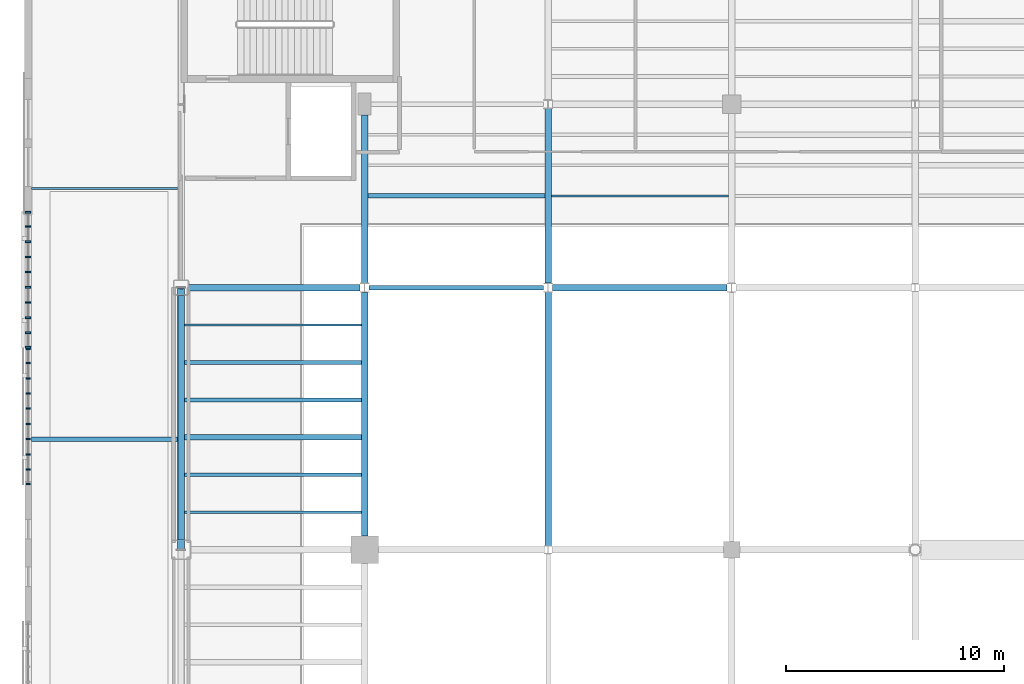
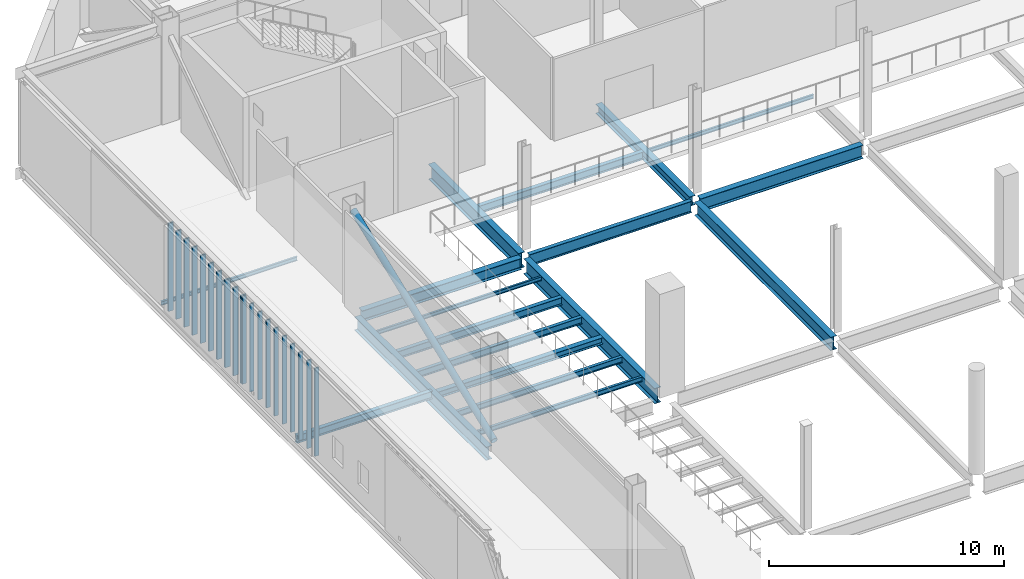
# One storey, part 32 of 127: 21 members, 18 beams, 2 elements without a shape of their own.
"""IFC4 building model written with IfcOpenShell, lengths in metres."""

from ifc_helpers import new_model, si_unit, direction, frame, origin, origin_2d, place, context, subcontext, project, spatial, rectangle, hollow_circle, i_section, extrude, material, material_profile, profile_set, type_object, element, aggregate, save


model = new_model("IFC4")

# Units and contexts
model_context = context("Model", 3, precision=1e-05, world=origin(), true_north=direction((0.0, 1.0)))
body_context = subcontext(model_context, "Body", "Model", "MODEL_VIEW")
ifc_project = project(units=[si_unit("LENGTHUNIT", "METRE"), si_unit("AREAUNIT", "SQUARE_METRE"), si_unit("VOLUMEUNIT", "CUBIC_METRE"), si_unit("PLANEANGLEUNIT", "RADIAN"), si_unit("MASSUNIT", "GRAM", prefix="KILO")], contexts=[model_context])

# Site, building, storey
site_placement = place(None, origin())
site = spatial("IfcSite", under=ifc_project, at=site_placement, CompositionType="ELEMENT")
building_placement = place(site_placement, origin())
building = spatial("IfcBuilding", under=site, at=building_placement, Name="Larkvane Passage Sports Hall", CompositionType="ELEMENT")
storey_placement = place(building_placement, frame((0.0, 0.0, 5.39990234375)))
storey = spatial("IfcBuildingStorey", under=building, at=storey_placement, Name="L01", CompositionType="ELEMENT", Elevation=5.39990234375)

# Beams
ifc_material_1 = material(Name="Steel S355JR", Category="steel")
ifc_material_profile_1 = material_profile(ifc_material_1, i_section(OverallWidth=0.300048828125, OverallDepth=0.488037109375, WebThickness=0.010986328125, FlangeThickness=0.01806640625, FilletRadius=0.02197265625, at=origin_2d()), Name="H-488x300x11x18")
ifc_profile_set_1 = profile_set([ifc_material_profile_1], Name="Steel S355JR")
beam_type_1 = type_object("IfcBeamType", Name="BM-STL-H488", PredefinedType="BEAM", material=ifc_profile_set_1)
beam_1_placement = place(storey_placement, frame((51.60009765625, 75.806884765625, -0.663818359375), z_axis=(0.0, 1.0, 0.0), x_axis=(-1.0, 0.0, 0.0)))
element("IfcBeam", 1, at=beam_1_placement, inside=storey, type_object=beam_type_1, Name="Girder BM5-Y-L01-8-0459", PredefinedType="BEAM", context=body_context, shape_type="SweptSolid", body=[
    extrude(i_section(OverallWidth=0.300048828125, OverallDepth=0.488037109375, WebThickness=0.010986328125, FlangeThickness=0.01806640625, FilletRadius=0.02197265625, at=origin_2d()), origin(), (0.0, 0.0, 1.0), 7.9931640625),
])
ifc_material_2 = material(Name="Steel S460N", Category="steel")
ifc_material_profile_2 = material_profile(ifc_material_2, i_section(OverallWidth=0.300048828125, OverallDepth=0.587890625, WebThickness=0.011962890625, FlangeThickness=0.02001953125, FilletRadius=0.02197265625, at=origin_2d()), Name="H-588x300x12x20")
ifc_profile_set_2 = profile_set([ifc_material_profile_2], Name="Steel S460N")
beam_type_2 = type_object("IfcBeamType", Name="BM-STL-H588", PredefinedType="BEAM", material=ifc_profile_set_2)
beam_2_placement = place(storey_placement, frame((35.14990234375, 75.60009765625, -0.7138671875), z_axis=(1.0, 0.0, 0.0), x_axis=(0.0, 1.0, 0.0)))
element("IfcBeam", 2, at=beam_2_placement, inside=storey, type_object=beam_type_2, Name="Girder BM5-X-L01-J-0422", PredefinedType="BEAM", context=body_context, shape_type="SweptSolid", body=[
    extrude(i_section(OverallWidth=0.300048828125, OverallDepth=0.587890625, WebThickness=0.011962890625, FlangeThickness=0.02001953125, FilletRadius=0.02197265625, at=origin_2d()), origin(), (0.0, 0.0, 1.0), 7.8466796875),
])
ifc_material_profile_3 = material_profile(ifc_material_1, i_section(OverallWidth=0.199951171875, OverallDepth=0.60009765625, WebThickness=0.010986328125, FlangeThickness=0.01708984375, FilletRadius=0.01806640625, at=origin_2d()), Name="H-600x200x11x17")
ifc_profile_set_3 = profile_set([ifc_material_profile_3], Name="Steel S355JR")
beam_type_3 = type_object("IfcBeamType", Name="BM-STL-H600", PredefinedType="BEAM", material=ifc_profile_set_3)
beam_3_placement = place(storey_placement, frame((43.403564453125, 75.60009765625, -0.719970703125), z_axis=(1.0, 0.0, 0.0), x_axis=(0.0, 1.0, 0.0)))
element("IfcBeam", 3, at=beam_3_placement, inside=storey, type_object=beam_type_3, Name="Girder BM5-X-L01-J-0423", PredefinedType="BEAM", context=body_context, shape_type="SweptSolid", body=[
    extrude(i_section(OverallWidth=0.199951171875, OverallDepth=0.60009765625, WebThickness=0.010986328125, FlangeThickness=0.01708984375, FilletRadius=0.01806640625, at=origin_2d()), origin(), (0.0, 0.0, 1.0), 7.993896484375),
])
ifc_material_profile_4 = material_profile(ifc_material_2, i_section(OverallWidth=0.300048828125, OverallDepth=0.69189453125, WebThickness=0.012939453125, FlangeThickness=0.02001953125, FilletRadius=0.02197265625, at=origin_2d()), Name="H-692x300x13x20")
ifc_profile_set_4 = profile_set([ifc_material_profile_4], Name="Steel S460N")
beam_type_4 = type_object("IfcBeamType", Name="BM-STL-H692", PredefinedType="BEAM", material=ifc_profile_set_4)
beam_4_placement = place(storey_placement, frame((51.802490234375, 75.60009765625, -0.765869140625), z_axis=(1.0, 0.0, 0.0), x_axis=(0.0, 1.0, 0.0)))
element("IfcBeam", 4, at=beam_4_placement, inside=storey, type_object=beam_type_4, Name="Girder BM5-X-L01-J-0424", PredefinedType="BEAM", context=body_context, shape_type="SweptSolid", body=[
    extrude(i_section(OverallWidth=0.300048828125, OverallDepth=0.69189453125, WebThickness=0.012939453125, FlangeThickness=0.02001953125, FilletRadius=0.02197265625, at=origin_2d()), origin(), (0.0, 0.0, 1.0), 7.99755859375),
])
beam_5_placement = place(storey_placement, frame((51.60009765625, 63.77490234375, -0.765869140625), z_axis=(0.0, 1.0, 0.0), x_axis=(-1.0, 0.0, 0.0)))
element("IfcBeam", 5, at=beam_5_placement, inside=storey, type_object=beam_type_4, Name="Girder BM5-Y-L01-8-0458", PredefinedType="BEAM", context=body_context, shape_type="SweptSolid", body=[
    extrude(i_section(OverallWidth=0.300048828125, OverallDepth=0.69189453125, WebThickness=0.012939453125, FlangeThickness=0.02001953125, FilletRadius=0.02197265625, at=origin_2d()), origin(), (0.0, 0.0, 1.0), 11.6181640625),
])
ifc_material_profile_5 = material_profile(ifc_material_2, i_section(OverallWidth=0.300048828125, OverallDepth=0.699951171875, WebThickness=0.012939453125, FlangeThickness=0.02392578125, FilletRadius=0.02197265625, at=origin_2d()), Name="H-700x300x13x24")
ifc_profile_set_5 = profile_set([ifc_material_profile_5], Name="Steel S460N")
beam_type_5 = type_object("IfcBeamType", Name="BM-STL-H700", PredefinedType="BEAM", material=ifc_profile_set_5)
beam_6_placement = place(storey_placement, frame((34.800048828125, 64.050048828125, -0.77001953125), z_axis=(0.0, 1.0, 0.0), x_axis=(-1.0, 0.0, 0.0)))
element("IfcBeam", 6, at=beam_6_placement, inside=storey, type_object=beam_type_5, Name="Girder BM5-Y-L01-6-0447", PredefinedType="BEAM", context=body_context, shape_type="SweptSolid", body=[
    extrude(i_section(OverallWidth=0.300048828125, OverallDepth=0.699951171875, WebThickness=0.012939453125, FlangeThickness=0.02392578125, FilletRadius=0.02197265625, at=origin_2d()), origin(), (0.0, 0.0, 1.0), 11.199951171875),
])
ifc_material_profile_6 = material_profile(ifc_material_2, i_section(OverallWidth=0.300048828125, OverallDepth=0.7919921875, WebThickness=0.013916015625, FlangeThickness=0.02197265625, FilletRadius=0.02197265625, at=origin_2d()), Name="H-792x300x14x22")
ifc_profile_set_6 = profile_set([ifc_material_profile_6], Name="Steel S460N")
beam_type_6 = type_object("IfcBeamType", Name="BM-STL-H792", PredefinedType="BEAM", material=ifc_profile_set_6)
beam_7_placement = place(storey_placement, frame((43.199951171875, 64.22509765625, -0.81591796875), z_axis=(0.0, 1.0, 0.0), x_axis=(-1.0, 0.0, 0.0)))
element("IfcBeam", 7, at=beam_7_placement, inside=storey, type_object=beam_type_6, Name="Girder BM5-Y-L01-7-0452", PredefinedType="BEAM", context=body_context, shape_type="SweptSolid", body=[
    extrude(i_section(OverallWidth=0.300048828125, OverallDepth=0.7919921875, WebThickness=0.013916015625, FlangeThickness=0.02197265625, FilletRadius=0.02197265625, at=origin_2d()), origin(), (0.0, 0.0, 1.0), 11.160888671875),
])
ifc_material_profile_7 = material_profile(ifc_material_2, i_section(OverallWidth=0.300048828125, OverallDepth=0.800048828125, WebThickness=0.013916015625, FlangeThickness=0.02587890625, FilletRadius=0.02197265625, at=origin_2d()), Name="H-800x300x14x26")
ifc_profile_set_7 = profile_set([ifc_material_profile_7], Name="Steel S460N")
beam_type_7 = type_object("IfcBeamType", Name="BM-STL-H800", PredefinedType="BEAM", material=ifc_profile_set_7)
beam_8_placement = place(storey_placement, frame((43.199951171875, 75.81396484375, -0.81982421875), z_axis=(0.0, 1.0, 0.0), x_axis=(-1.0, 0.0, 0.0)))
element("IfcBeam", 8, at=beam_8_placement, inside=storey, type_object=beam_type_7, Name="Girder BM5-Y-L01-7-0453", PredefinedType="BEAM", context=body_context, shape_type="SweptSolid", body=[
    extrude(i_section(OverallWidth=0.300048828125, OverallDepth=0.800048828125, WebThickness=0.013916015625, FlangeThickness=0.02587890625, FilletRadius=0.02197265625, at=origin_2d()), origin(), (0.0, 0.0, 1.0), 7.68603515625),
])

# Curtain wall, members
ifc_material_3 = material(Name="Thermally broken aluminium and low-E glazing", Category="aluminium")
curtain_wall_type_1 = type_object("IfcCurtainWallType", Name="CW-UNIT-VEIL", PredefinedType="USERDEFINED", material=ifc_material_3)
curtain_wall_1_placement = place(storey_placement, origin())
curtain_wall_1 = element("IfcCurtainWall", 9, at=curtain_wall_1_placement, inside=storey, type_object=curtain_wall_type_1, Name="Curtain wall CW5-L01-037", ObjectType="UNITISED CURTAIN WALL", PredefinedType="USERDEFINED")
ifc_material_4 = material(Name="Anodised aluminium 6063-T6", Category="aluminium")
ifc_material_profile_8 = material_profile(ifc_material_4, rectangle(XDim=0.070068359375, YDim=0.199951171875, at=origin_2d()), Name="ALU-MUL-70x200")
ifc_profile_set_8 = profile_set([ifc_material_profile_8], Name="Anodised aluminium 6063-T6")
member_type_1 = type_object("IfcMemberType", Name="CW-MUL-70x200", PredefinedType="MULLION", material=ifc_profile_set_8)
member_1_placement = place(storey_placement, frame((27.800048828125, 66.61669921875, 0.0), z_axis=(0.0, 0.0, 1.0), x_axis=(0.0, 1.0, 0.0)))
member_1 = element("IfcMember", 10, at=member_1_placement, type_object=member_type_1, Name="CW-02 mullion 1", PredefinedType="MULLION", context=body_context, shape_type="SweptSolid", body=[
    extrude(rectangle(XDim=0.070068359375, YDim=0.199951171875, at=origin_2d()), origin(), (0.0, 0.0, 1.0), 4.578125),
])
member_2_placement = place(storey_placement, frame((27.800048828125, 67.27685546875, 0.0), z_axis=(0.0, 0.0, 1.0), x_axis=(0.0, 1.0, 0.0)))
member_2 = element("IfcMember", 11, at=member_2_placement, type_object=member_type_1, Name="CW-02 mullion 2", PredefinedType="MULLION", context=body_context, shape_type="SweptSolid", body=[
    extrude(rectangle(XDim=0.070068359375, YDim=0.199951171875, at=origin_2d()), origin(), (0.0, 0.0, 1.0), 4.578125),
])
member_3_placement = place(storey_placement, frame((27.800048828125, 67.9716796875, 0.0), z_axis=(0.0, 0.0, 1.0), x_axis=(0.0, 1.0, 0.0)))
member_3 = element("IfcMember", 12, at=member_3_placement, type_object=member_type_1, Name="CW-02 mullion 3", PredefinedType="MULLION", context=body_context, shape_type="SweptSolid", body=[
    extrude(rectangle(XDim=0.070068359375, YDim=0.199951171875, at=origin_2d()), origin(), (0.0, 0.0, 1.0), 4.578125),
])
member_4_placement = place(storey_placement, frame((27.800048828125, 68.666748046875, 0.0), z_axis=(0.0, 0.0, 1.0), x_axis=(0.0, 1.0, 0.0)))
member_4 = element("IfcMember", 13, at=member_4_placement, type_object=member_type_1, Name="CW-02 mullion 4", PredefinedType="MULLION", context=body_context, shape_type="SweptSolid", body=[
    extrude(rectangle(XDim=0.070068359375, YDim=0.199951171875, at=origin_2d()), origin(), (0.0, 0.0, 1.0), 4.578125),
])
member_5_placement = place(storey_placement, frame((27.800048828125, 69.361572265625, 0.0), z_axis=(0.0, 0.0, 1.0), x_axis=(0.0, 1.0, 0.0)))
member_5 = element("IfcMember", 14, at=member_5_placement, type_object=member_type_1, Name="CW-02 mullion 5", PredefinedType="MULLION", context=body_context, shape_type="SweptSolid", body=[
    extrude(rectangle(XDim=0.070068359375, YDim=0.199951171875, at=origin_2d()), origin(), (0.0, 0.0, 1.0), 4.578125),
])
member_6_placement = place(storey_placement, frame((27.800048828125, 70.056640625, 0.0), z_axis=(0.0, 0.0, 1.0), x_axis=(0.0, 1.0, 0.0)))
member_6 = element("IfcMember", 15, at=member_6_placement, type_object=member_type_1, Name="CW-02 mullion 6", PredefinedType="MULLION", context=body_context, shape_type="SweptSolid", body=[
    extrude(rectangle(XDim=0.070068359375, YDim=0.199951171875, at=origin_2d()), origin(), (0.0, 0.0, 1.0), 4.578125),
])
member_7_placement = place(storey_placement, frame((27.800048828125, 70.75146484375, 0.0), z_axis=(0.0, 0.0, 1.0), x_axis=(0.0, 1.0, 0.0)))
member_7 = element("IfcMember", 16, at=member_7_placement, type_object=member_type_1, Name="CW-02 mullion 7", PredefinedType="MULLION", context=body_context, shape_type="SweptSolid", body=[
    extrude(rectangle(XDim=0.070068359375, YDim=0.199951171875, at=origin_2d()), origin(), (0.0, 0.0, 1.0), 4.578125),
])
member_8_placement = place(storey_placement, frame((27.800048828125, 71.446533203125, 0.0), z_axis=(0.0, 0.0, 1.0), x_axis=(0.0, 1.0, 0.0)))
member_8 = element("IfcMember", 17, at=member_8_placement, type_object=member_type_1, Name="CW-02 mullion 8", PredefinedType="MULLION", context=body_context, shape_type="SweptSolid", body=[
    extrude(rectangle(XDim=0.070068359375, YDim=0.199951171875, at=origin_2d()), origin(), (0.0, 0.0, 1.0), 4.578125),
])
member_9_placement = place(storey_placement, frame((27.800048828125, 72.141357421875, 0.0), z_axis=(0.0, 0.0, 1.0), x_axis=(0.0, 1.0, 0.0)))
member_9 = element("IfcMember", 18, at=member_9_placement, type_object=member_type_1, Name="CW-02 mullion 9", PredefinedType="MULLION", context=body_context, shape_type="SweptSolid", body=[
    extrude(rectangle(XDim=0.070068359375, YDim=0.199951171875, at=origin_2d()), origin(), (0.0, 0.0, 1.0), 4.578125),
])
member_10_placement = place(storey_placement, frame((27.800048828125, 72.801513671875, 0.0), z_axis=(0.0, 0.0, 1.0), x_axis=(0.0, 1.0, 0.0)))
member_10 = element("IfcMember", 19, at=member_10_placement, type_object=member_type_1, Name="CW-02 mullion 10", PredefinedType="MULLION", context=body_context, shape_type="SweptSolid", body=[
    extrude(rectangle(XDim=0.070068359375, YDim=0.199951171875, at=origin_2d()), origin(), (0.0, 0.0, 1.0), 4.578125),
])
aggregate(curtain_wall_1, [member_1, member_2, member_3, member_4, member_5, member_6, member_7, member_8, member_9, member_10])

curtain_wall_type_2 = type_object("IfcCurtainWallType", Name="CW-STICK-FOYER", PredefinedType="USERDEFINED", material=ifc_material_3)
curtain_wall_2_placement = place(storey_placement, origin())
curtain_wall_2 = element("IfcCurtainWall", 20, at=curtain_wall_2_placement, inside=storey, type_object=curtain_wall_type_2, Name="Curtain wall CW5-L01-038", ObjectType="STICK CURTAIN WALL", PredefinedType="USERDEFINED")
ifc_material_profile_9 = material_profile(ifc_material_4, rectangle(XDim=0.080078125, YDim=0.25, at=origin_2d()), Name="ALU-MUL-80x250")
ifc_profile_set_9 = profile_set([ifc_material_profile_9], Name="Anodised aluminium 6063-T6")
member_type_2 = type_object("IfcMemberType", Name="CW-MUL-80x250", PredefinedType="MULLION", material=ifc_profile_set_9)
member_11_placement = place(storey_placement, frame((27.800048828125, 72.87646484375, 0.0), z_axis=(0.0, 0.0, 1.0), x_axis=(0.0, 1.0, 0.0)))
member_11 = element("IfcMember", 21, at=member_11_placement, type_object=member_type_2, Name="CW-03 mullion 1", PredefinedType="MULLION", context=body_context, shape_type="SweptSolid", body=[
    extrude(rectangle(XDim=0.080078125, YDim=0.25, at=origin_2d()), origin(), (0.0, 0.0, 1.0), 4.578125),
])
member_12_placement = place(storey_placement, frame((27.800048828125, 73.53125, 0.0), z_axis=(0.0, 0.0, 1.0), x_axis=(0.0, 1.0, 0.0)))
member_12 = element("IfcMember", 22, at=member_12_placement, type_object=member_type_2, Name="CW-03 mullion 2", PredefinedType="MULLION", context=body_context, shape_type="SweptSolid", body=[
    extrude(rectangle(XDim=0.080078125, YDim=0.25, at=origin_2d()), origin(), (0.0, 0.0, 1.0), 4.578125),
])
member_13_placement = place(storey_placement, frame((27.800048828125, 74.226318359375, 0.0), z_axis=(0.0, 0.0, 1.0), x_axis=(0.0, 1.0, 0.0)))
member_13 = element("IfcMember", 23, at=member_13_placement, type_object=member_type_2, Name="CW-03 mullion 3", PredefinedType="MULLION", context=body_context, shape_type="SweptSolid", body=[
    extrude(rectangle(XDim=0.080078125, YDim=0.25, at=origin_2d()), origin(), (0.0, 0.0, 1.0), 4.578125),
])
member_14_placement = place(storey_placement, frame((27.800048828125, 74.921142578125, 0.0), z_axis=(0.0, 0.0, 1.0), x_axis=(0.0, 1.0, 0.0)))
member_14 = element("IfcMember", 24, at=member_14_placement, type_object=member_type_2, Name="CW-03 mullion 4", PredefinedType="MULLION", context=body_context, shape_type="SweptSolid", body=[
    extrude(rectangle(XDim=0.080078125, YDim=0.25, at=origin_2d()), origin(), (0.0, 0.0, 1.0), 4.578125),
])
member_15_placement = place(storey_placement, frame((27.800048828125, 75.6162109375, 0.0), z_axis=(0.0, 0.0, 1.0), x_axis=(0.0, 1.0, 0.0)))
member_15 = element("IfcMember", 25, at=member_15_placement, type_object=member_type_2, Name="CW-03 mullion 5", PredefinedType="MULLION", context=body_context, shape_type="SweptSolid", body=[
    extrude(rectangle(XDim=0.080078125, YDim=0.25, at=origin_2d()), origin(), (0.0, 0.0, 1.0), 4.578125),
])
member_16_placement = place(storey_placement, frame((27.800048828125, 76.31103515625, 0.0), z_axis=(0.0, 0.0, 1.0), x_axis=(0.0, 1.0, 0.0)))
member_16 = element("IfcMember", 26, at=member_16_placement, type_object=member_type_2, Name="CW-03 mullion 6", PredefinedType="MULLION", context=body_context, shape_type="SweptSolid", body=[
    extrude(rectangle(XDim=0.080078125, YDim=0.25, at=origin_2d()), origin(), (0.0, 0.0, 1.0), 4.578125),
])
member_17_placement = place(storey_placement, frame((27.800048828125, 77.006103515625, 0.0), z_axis=(0.0, 0.0, 1.0), x_axis=(0.0, 1.0, 0.0)))
member_17 = element("IfcMember", 27, at=member_17_placement, type_object=member_type_2, Name="CW-03 mullion 7", PredefinedType="MULLION", context=body_context, shape_type="SweptSolid", body=[
    extrude(rectangle(XDim=0.080078125, YDim=0.25, at=origin_2d()), origin(), (0.0, 0.0, 1.0), 4.578125),
])
member_18_placement = place(storey_placement, frame((27.800048828125, 77.700927734375, 0.0), z_axis=(0.0, 0.0, 1.0), x_axis=(0.0, 1.0, 0.0)))
member_18 = element("IfcMember", 28, at=member_18_placement, type_object=member_type_2, Name="CW-03 mullion 8", PredefinedType="MULLION", context=body_context, shape_type="SweptSolid", body=[
    extrude(rectangle(XDim=0.080078125, YDim=0.25, at=origin_2d()), origin(), (0.0, 0.0, 1.0), 4.578125),
])
member_19_placement = place(storey_placement, frame((27.800048828125, 78.39599609375, 0.0), z_axis=(0.0, 0.0, 1.0), x_axis=(0.0, 1.0, 0.0)))
member_19 = element("IfcMember", 29, at=member_19_placement, type_object=member_type_2, Name="CW-03 mullion 9", PredefinedType="MULLION", context=body_context, shape_type="SweptSolid", body=[
    extrude(rectangle(XDim=0.080078125, YDim=0.25, at=origin_2d()), origin(), (0.0, 0.0, 1.0), 4.578125),
])
member_20_placement = place(storey_placement, frame((27.800048828125, 79.05078125, 0.0), z_axis=(0.0, 0.0, 1.0), x_axis=(0.0, 1.0, 0.0)))
member_20 = element("IfcMember", 30, at=member_20_placement, type_object=member_type_2, Name="CW-03 mullion 10", PredefinedType="MULLION", context=body_context, shape_type="SweptSolid", body=[
    extrude(rectangle(XDim=0.080078125, YDim=0.25, at=origin_2d()), origin(), (0.0, 0.0, 1.0), 4.578125),
])
aggregate(curtain_wall_2, [member_11, member_12, member_13, member_14, member_15, member_16, member_17, member_18, member_19, member_20])

# Beams
ifc_material_profile_10 = material_profile(ifc_material_1, i_section(OverallWidth=0.10009765625, OverallDepth=0.199951171875, WebThickness=0.005615234375, FlangeThickness=0.008056640625, FilletRadius=0.008056640625, at=origin_2d()), Name="H-200x100x5.5x8")
ifc_profile_set_10 = profile_set([ifc_material_profile_10], Name="Steel S355JR")
beam_type_8 = type_object("IfcBeamType", Name="JST-STL-H200", PredefinedType="JOIST", material=ifc_profile_set_10)
for number, where, z_axis, x_axis, name in (
    (31, (34.949951171875, 73.8857421875, -0.52001953125), (1.0, 0.0, 0.0), (0.0, 1.0, 0.0), "Composite joist L01 6/H-6"),
    (32, (51.75, 79.800048828125, -0.52001953125), (1.0, 0.0, 0.0), (0.0, 1.0, 0.0), "Composite joist L01 8/J-3"),
):
    element("IfcBeam", number, at=place(storey_placement, frame(where, z_axis=z_axis, x_axis=x_axis)), inside=storey, type_object=beam_type_8, Name=name, PredefinedType="JOIST", context=body_context, shape_type="SweptSolid", body=[
        extrude(i_section(OverallWidth=0.10009765625, OverallDepth=0.199951171875, WebThickness=0.005615234375, FlangeThickness=0.008056640625, FilletRadius=0.008056640625, at=origin_2d()), origin(), (0.0, 0.0, 1.0), 8.10009765625),
    ])
beam_9_placement = place(storey_placement, frame((27.9599609375, 80.13330078125, -0.329833984375), z_axis=(1.0, 0.0, 0.0), x_axis=(0.0, 1.0, 0.0)))
element("IfcBeam", 33, at=beam_9_placement, inside=storey, type_object=beam_type_8, Name="Cantilever floor joist CT-W1A--1-5", PredefinedType="JOIST", context=body_context, shape_type="SweptSolid", body=[
    extrude(i_section(OverallWidth=0.10009765625, OverallDepth=0.199951171875, WebThickness=0.005615234375, FlangeThickness=0.008056640625, FilletRadius=0.008056640625, at=origin_2d()), origin(), (0.0, 0.0, 1.0), 6.679931640625),
])
ifc_material_profile_11 = material_profile(ifc_material_1, i_section(OverallWidth=0.125, OverallDepth=0.25, WebThickness=0.006103515625, FlangeThickness=0.009033203125, FilletRadius=0.008056640625, at=origin_2d()), Name="H-250x125x6x9")
ifc_profile_set_11 = profile_set([ifc_material_profile_11], Name="Steel S355JR")
beam_type_9 = type_object("IfcBeamType", Name="JST-STL-H250", PredefinedType="JOIST", material=ifc_profile_set_11)
beam_10_placement = place(storey_placement, frame((34.949951171875, 65.314208984375, -0.544921875), z_axis=(1.0, 0.0, 0.0), x_axis=(0.0, 1.0, 0.0)))
element("IfcBeam", 34, at=beam_10_placement, inside=storey, type_object=beam_type_9, Name="Composite joist L01 6/H-1", PredefinedType="JOIST", context=body_context, shape_type="SweptSolid", body=[
    extrude(i_section(OverallWidth=0.125, OverallDepth=0.25, WebThickness=0.006103515625, FlangeThickness=0.009033203125, FilletRadius=0.008056640625, at=origin_2d()), origin(), (0.0, 0.0, 1.0), 8.10009765625),
])
ifc_material_profile_12 = material_profile(ifc_material_1, i_section(OverallWidth=0.14990234375, OverallDepth=0.300048828125, WebThickness=0.006591796875, FlangeThickness=0.009033203125, FilletRadius=0.012939453125, at=origin_2d()), Name="H-300x150x6.5x9")
ifc_profile_set_12 = profile_set([ifc_material_profile_12], Name="Steel S355JR")
beam_type_10 = type_object("IfcBeamType", Name="JST-STL-H300", PredefinedType="JOIST", material=ifc_profile_set_12)
beam_11_placement = place(storey_placement, frame((34.949951171875, 67.028564453125, -0.56982421875), z_axis=(1.0, 0.0, 0.0), x_axis=(0.0, 1.0, 0.0)))
element("IfcBeam", 35, at=beam_11_placement, inside=storey, type_object=beam_type_10, Name="Composite joist L01 6/H-2", PredefinedType="JOIST", context=body_context, shape_type="SweptSolid", body=[
    extrude(i_section(OverallWidth=0.14990234375, OverallDepth=0.300048828125, WebThickness=0.006591796875, FlangeThickness=0.009033203125, FilletRadius=0.012939453125, at=origin_2d()), origin(), (0.0, 0.0, 1.0), 8.10009765625),
])
ifc_material_profile_13 = material_profile(ifc_material_1, i_section(OverallWidth=0.25, OverallDepth=0.340087890625, WebThickness=0.009033203125, FlangeThickness=0.013916015625, FilletRadius=0.012939453125, at=origin_2d()), Name="H-340x250x9x14")
ifc_profile_set_13 = profile_set([ifc_material_profile_13], Name="Steel S355JR")
beam_type_11 = type_object("IfcBeamType", Name="JST-STL-H340", PredefinedType="JOIST", material=ifc_profile_set_13)
beam_12_placement = place(storey_placement, frame((34.949951171875, 68.742919921875, -0.58984375), z_axis=(1.0, 0.0, 0.0), x_axis=(0.0, 1.0, 0.0)))
element("IfcBeam", 36, at=beam_12_placement, inside=storey, type_object=beam_type_11, Name="Composite joist L01 6/H-3", PredefinedType="JOIST", context=body_context, shape_type="SweptSolid", body=[
    extrude(i_section(OverallWidth=0.25, OverallDepth=0.340087890625, WebThickness=0.009033203125, FlangeThickness=0.013916015625, FilletRadius=0.012939453125, at=origin_2d()), origin(), (0.0, 0.0, 1.0), 8.10009765625),
])
ifc_material_profile_14 = material_profile(ifc_material_1, i_section(OverallWidth=0.175048828125, OverallDepth=0.35009765625, WebThickness=0.007080078125, FlangeThickness=0.010986328125, FilletRadius=0.012939453125, at=origin_2d()), Name="H-350x175x7x11")
ifc_profile_set_14 = profile_set([ifc_material_profile_14], Name="Steel S355JR")
beam_type_12 = type_object("IfcBeamType", Name="JST-STL-H350", PredefinedType="JOIST", material=ifc_profile_set_14)
beam_13_placement = place(storey_placement, frame((34.949951171875, 70.45703125, -0.594970703125), z_axis=(1.0, 0.0, 0.0), x_axis=(0.0, 1.0, 0.0)))
element("IfcBeam", 37, at=beam_13_placement, inside=storey, type_object=beam_type_12, Name="Composite joist L01 6/H-4", PredefinedType="JOIST", context=body_context, shape_type="SweptSolid", body=[
    extrude(i_section(OverallWidth=0.175048828125, OverallDepth=0.35009765625, WebThickness=0.007080078125, FlangeThickness=0.010986328125, FilletRadius=0.012939453125, at=origin_2d()), origin(), (0.0, 0.0, 1.0), 8.10009765625),
])
ifc_material_profile_15 = material_profile(ifc_material_1, i_section(OverallWidth=0.199951171875, OverallDepth=0.39990234375, WebThickness=0.008056640625, FlangeThickness=0.012939453125, FilletRadius=0.012939453125, at=origin_2d()), Name="H-400x200x8x13")
ifc_profile_set_15 = profile_set([ifc_material_profile_15], Name="Steel S355JR")
beam_type_13 = type_object("IfcBeamType", Name="JST-STL-H400", PredefinedType="JOIST", material=ifc_profile_set_15)
beam_14_placement = place(storey_placement, frame((34.949951171875, 72.17138671875, -0.619873046875), z_axis=(1.0, 0.0, 0.0), x_axis=(0.0, 1.0, 0.0)))
element("IfcBeam", 38, at=beam_14_placement, inside=storey, type_object=beam_type_13, Name="Composite joist L01 6/H-5", PredefinedType="JOIST", context=body_context, shape_type="SweptSolid", body=[
    extrude(i_section(OverallWidth=0.199951171875, OverallDepth=0.39990234375, WebThickness=0.008056640625, FlangeThickness=0.012939453125, FilletRadius=0.012939453125, at=origin_2d()), origin(), (0.0, 0.0, 1.0), 8.10009765625),
])
beam_15_placement = place(storey_placement, frame((43.35009765625, 79.800048828125, -0.619873046875), z_axis=(1.0, 0.0, 0.0), x_axis=(0.0, 1.0, 0.0)))
element("IfcBeam", 39, at=beam_15_placement, inside=storey, type_object=beam_type_13, Name="Composite joist L01 7/J-3", PredefinedType="JOIST", context=body_context, shape_type="SweptSolid", body=[
    extrude(i_section(OverallWidth=0.199951171875, OverallDepth=0.39990234375, WebThickness=0.008056640625, FlangeThickness=0.012939453125, FilletRadius=0.012939453125, at=origin_2d()), origin(), (0.0, 0.0, 1.0), 8.099853515625),
])
beam_16_placement = place(storey_placement, frame((27.9599609375, 68.666748046875, -0.429931640625), z_axis=(1.0, 0.0, 0.0), x_axis=(0.0, 1.0, 0.0)))
element("IfcBeam", 40, at=beam_16_placement, inside=storey, type_object=beam_type_13, Name="Cantilever floor joist CT-W1A--1-4", PredefinedType="JOIST", context=body_context, shape_type="SweptSolid", body=[
    extrude(i_section(OverallWidth=0.199951171875, OverallDepth=0.39990234375, WebThickness=0.008056640625, FlangeThickness=0.012939453125, FilletRadius=0.012939453125, at=origin_2d()), origin(), (0.0, 0.0, 1.0), 6.679931640625),
])

# Member
ifc_material_profile_16 = material_profile(ifc_material_2, hollow_circle(Radius=0.1591796875, WallThickness=0.01025390625, at=origin_2d()), Name="CHS-318.5x10.3")
ifc_profile_set_16 = profile_set([ifc_material_profile_16], Name="Steel S460N")
member_type_3 = type_object("IfcMemberType", Name="MBR-BR-CHS318", PredefinedType="BRACE", material=ifc_profile_set_16)
member_21_placement = place(storey_placement, frame((34.800048828125, 63.60009765625, 0.150146484375), z_axis=(0.0, 0.931129537334, 0.364688613347), x_axis=(-1.0, 0.0, 0.0)))
element("IfcMember", 41, at=member_21_placement, inside=storey, type_object=member_type_3, Name="Lateral frame brace L01-2", PredefinedType="BRACE", context=body_context, shape_type="SweptSolid", body=[
    extrude(hollow_circle(Radius=0.1591796875, WallThickness=0.01025390625, at=origin_2d()), origin(), (0.0, 0.0, 1.0), 12.887451171875),
])

save(model, "model.ifc")
